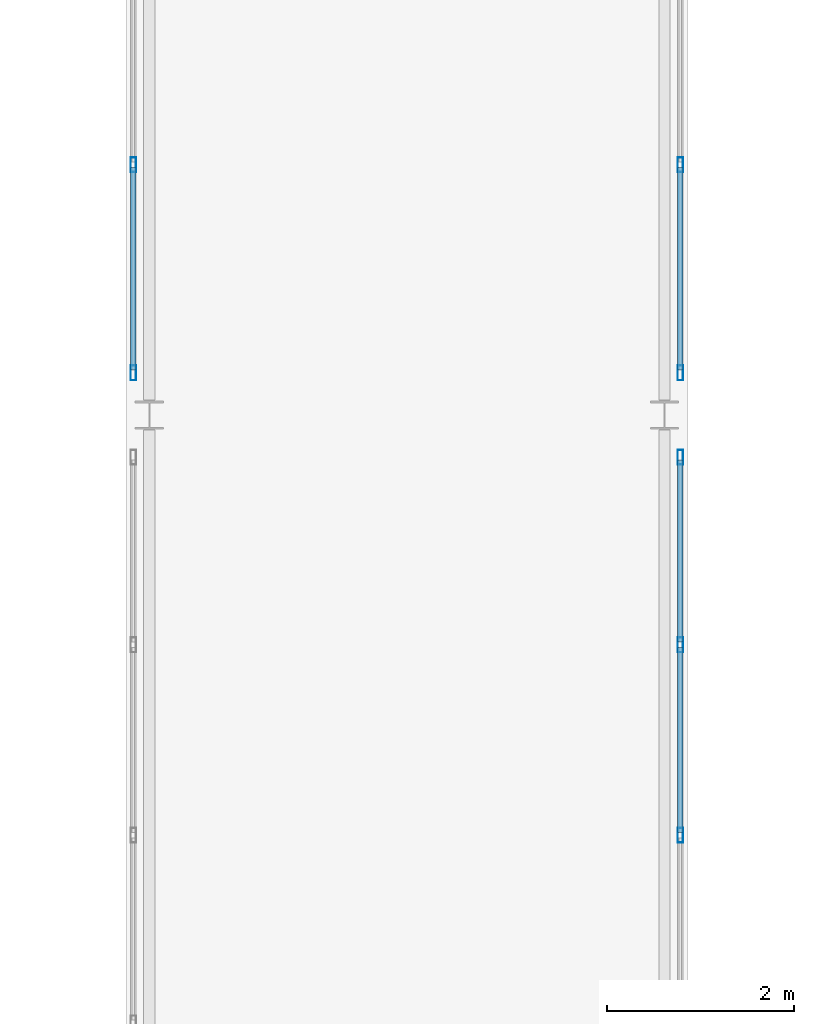
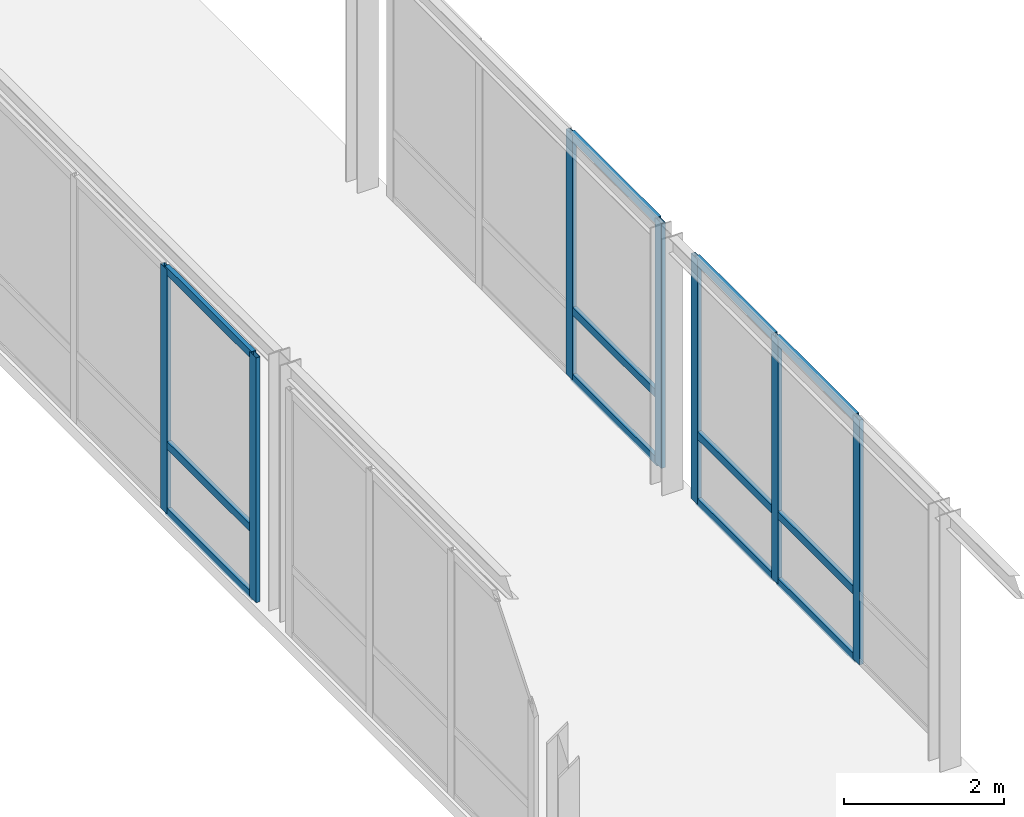
# One storey, part 55 of 189: 19 members, 3 elements without a shape of their own.
"""IFC4 building model written with IfcOpenShell, lengths in metres."""

from ifc_helpers import new_model, si_unit, direction, frame, origin, origin_2d, place, context, subcontext, project, spatial, hollow_rectangle, extrude, material, layer, layer_set, material_profile, profile_set, type_object, element, aggregate, save


model = new_model("IFC4")

# Units and contexts
model_context = context("Model", 3, precision=1e-05, world=origin(), true_north=direction((0.0, 1.0)))
body_context = subcontext(model_context, "Body", "Model", "MODEL_VIEW")
ifc_project = project(units=[si_unit("LENGTHUNIT", "METRE"), si_unit("AREAUNIT", "SQUARE_METRE"), si_unit("VOLUMEUNIT", "CUBIC_METRE"), si_unit("PLANEANGLEUNIT", "RADIAN"), si_unit("MASSUNIT", "GRAM", prefix="KILO")], contexts=[model_context])

# Site, building, storey
site_placement = place(None, origin())
site = spatial("IfcSite", under=ifc_project, at=site_placement, CompositionType="ELEMENT")
building_placement = place(site_placement, origin())
building = spatial("IfcBuilding", under=site, at=building_placement, Name="Montecoro Central Library", CompositionType="ELEMENT")
storey_placement = place(building_placement, frame((0.0, 0.0, 9.179931640625)))
storey = spatial("IfcBuildingStorey", under=building, at=storey_placement, Name="L02", CompositionType="ELEMENT", Elevation=9.179931640625)

# Curtain wall, members
ifc_material_1 = material(Name="Bronze-anodised aluminium and low-E glazing", Category="aluminium")
ifc_layer_1 = layer(ifc_material_1, 0.159912109375)
ifc_layer_set_1 = layer_set([ifc_layer_1], Name="Bronze-anodised aluminium and low-E glazing")
curtain_wall_type_1 = type_object("IfcCurtainWallType", Name="CWT-078", PredefinedType="NOTDEFINED", material=ifc_layer_set_1)
curtain_wall_1_placement = place(storey_placement, origin())
curtain_wall_1 = element("IfcCurtainWall", 1, at=curtain_wall_1_placement, inside=storey, type_object=curtain_wall_type_1, Name="BR-N-L02-CW-W2", PredefinedType="NOTDEFINED")
ifc_material_2 = material(Name="Bronze-anodised aluminium", Category="aluminium")
ifc_material_profile_1 = material_profile(ifc_material_2, hollow_rectangle(XDim=0.06005859375, YDim=0.159912109375, WallThickness=0.00390625, at=origin_2d()), Name="CWM 160x60x4.0")
ifc_profile_set_1 = profile_set([ifc_material_profile_1], Name="Bronze-anodised aluminium")
member_type_1 = type_object("IfcMemberType", Name="CWM-BRZ-60", PredefinedType="MULLION", material=ifc_profile_set_1)
member_1_placement = place(storey_placement, frame((88.679931640625, 66.25, 0.0), z_axis=(0.0, 0.0, 1.0), x_axis=(-1.0, 0.0, 0.0)))
member_1 = element("IfcMember", 2, at=member_1_placement, type_object=member_type_1, Name="CW-078 mullion 1", PredefinedType="MULLION", context=body_context, shape_type="SweptSolid", body=[
    extrude(hollow_rectangle(XDim=0.06005859375, YDim=0.159912109375, WallThickness=0.00390625, at=origin_2d()), origin(), (0.0, 0.0, 1.0), 3.72998046875),
])
member_2_placement = place(storey_placement, frame((88.679931640625, 68.473388671875, 0.0), z_axis=(0.0, 0.0, 1.0), x_axis=(-1.0, 0.0, 0.0)))
member_2 = element("IfcMember", 3, at=member_2_placement, type_object=member_type_1, Name="CW-078 mullion 2", PredefinedType="MULLION", context=body_context, shape_type="SweptSolid", body=[
    extrude(hollow_rectangle(XDim=0.06005859375, YDim=0.159912109375, WallThickness=0.00390625, at=origin_2d()), origin(), (0.0, 0.0, 1.0), 3.72998046875),
])

ifc_layer_2 = layer(ifc_material_1, 0.159912109375)
ifc_layer_set_2 = layer_set([ifc_layer_2], Name="Bronze-anodised aluminium and low-E glazing")
curtain_wall_type_2 = type_object("IfcCurtainWallType", Name="CWT-077", PredefinedType="NOTDEFINED", material=ifc_layer_set_2)
curtain_wall_2_placement = place(storey_placement, origin())
curtain_wall_2 = element("IfcCurtainWall", 4, at=curtain_wall_2_placement, inside=storey, type_object=curtain_wall_type_2, Name="BR-N-L02-CW-E1", PredefinedType="NOTDEFINED")
member_3_placement = place(storey_placement, frame((94.52001953125, 61.313232421875, 0.0), z_axis=(0.0, 0.0, 1.0), x_axis=(-1.0, 0.0, 0.0)))
member_3 = element("IfcMember", 5, at=member_3_placement, type_object=member_type_1, Name="CW-077 mullion 2", PredefinedType="MULLION", context=body_context, shape_type="SweptSolid", body=[
    extrude(hollow_rectangle(XDim=0.06005859375, YDim=0.159912109375, WallThickness=0.00390625, at=origin_2d()), origin(), (0.0, 0.0, 1.0), 3.72998046875),
])
member_4_placement = place(storey_placement, frame((94.52001953125, 63.3466796875, 0.0), z_axis=(0.0, 0.0, 1.0), x_axis=(-1.0, 0.0, 0.0)))
member_4 = element("IfcMember", 6, at=member_4_placement, type_object=member_type_1, Name="CW-077 mullion 3", PredefinedType="MULLION", context=body_context, shape_type="SweptSolid", body=[
    extrude(hollow_rectangle(XDim=0.06005859375, YDim=0.159912109375, WallThickness=0.00390625, at=origin_2d()), origin(), (0.0, 0.0, 1.0), 3.72998046875),
])
member_5_placement = place(storey_placement, frame((94.52001953125, 65.35009765625, 0.0), z_axis=(0.0, 0.0, 1.0), x_axis=(-1.0, 0.0, 0.0)))
member_5 = element("IfcMember", 7, at=member_5_placement, type_object=member_type_1, Name="CW-077 mullion 4", PredefinedType="MULLION", context=body_context, shape_type="SweptSolid", body=[
    extrude(hollow_rectangle(XDim=0.06005859375, YDim=0.159912109375, WallThickness=0.00390625, at=origin_2d()), origin(), (0.0, 0.0, 1.0), 3.72998046875),
])

curtain_wall_3_placement = place(storey_placement, origin())
curtain_wall_3 = element("IfcCurtainWall", 8, at=curtain_wall_3_placement, inside=storey, type_object=curtain_wall_type_1, Name="BR-N-L02-CW-E2", PredefinedType="NOTDEFINED")
member_6_placement = place(storey_placement, frame((94.52001953125, 66.25, 0.0), z_axis=(0.0, 0.0, 1.0), x_axis=(-1.0, 0.0, 0.0)))
member_6 = element("IfcMember", 9, at=member_6_placement, type_object=member_type_1, Name="CW-078 mullion 1", PredefinedType="MULLION", context=body_context, shape_type="SweptSolid", body=[
    extrude(hollow_rectangle(XDim=0.06005859375, YDim=0.159912109375, WallThickness=0.00390625, at=origin_2d()), origin(), (0.0, 0.0, 1.0), 3.72998046875),
])
member_7_placement = place(storey_placement, frame((94.52001953125, 68.473388671875, 0.0), z_axis=(0.0, 0.0, 1.0), x_axis=(-1.0, 0.0, 0.0)))
member_7 = element("IfcMember", 10, at=member_7_placement, type_object=member_type_1, Name="CW-078 mullion 2", PredefinedType="MULLION", context=body_context, shape_type="SweptSolid", body=[
    extrude(hollow_rectangle(XDim=0.06005859375, YDim=0.159912109375, WallThickness=0.00390625, at=origin_2d()), origin(), (0.0, 0.0, 1.0), 3.72998046875),
])

# Member
ifc_material_profile_2 = material_profile(ifc_material_2, hollow_rectangle(XDim=0.06005859375, YDim=0.1201171875, WallThickness=0.00390625, at=origin_2d()), Name="CWT 120x60x4.0")
ifc_profile_set_2 = profile_set([ifc_material_profile_2], Name="Bronze-anodised aluminium")
member_type_2 = type_object("IfcMemberType", Name="CWT-BRZ-60", PredefinedType="USERDEFINED", material=ifc_profile_set_2)
member_8_placement = place(storey_placement, frame((88.679931640625, 66.280029296875, 0.030029296875), z_axis=(0.0, 1.0, 0.0), x_axis=(-1.0, 0.0, 0.0)))
member_8 = element("IfcMember", 11, at=member_8_placement, type_object=member_type_2, Name="CW-078 transom 1.1", ObjectType="TRANSOM", PredefinedType="USERDEFINED", context=body_context, shape_type="SweptSolid", body=[
    extrude(hollow_rectangle(XDim=0.06005859375, YDim=0.1201171875, WallThickness=0.00390625, at=origin_2d()), origin(), (0.0, 0.0, 1.0), 2.163330078125),
])

member_9_placement = place(storey_placement, frame((88.679931640625, 66.280029296875, 1.050048828125), z_axis=(0.0, 1.0, 0.0), x_axis=(-1.0, 0.0, 0.0)))
member_9 = element("IfcMember", 12, at=member_9_placement, type_object=member_type_2, Name="CW-078 transom 1.2", ObjectType="TRANSOM", PredefinedType="USERDEFINED", context=body_context, shape_type="SweptSolid", body=[
    extrude(hollow_rectangle(XDim=0.06005859375, YDim=0.1201171875, WallThickness=0.00390625, at=origin_2d()), origin(), (0.0, 0.0, 1.0), 2.163330078125),
])

member_10_placement = place(storey_placement, frame((88.679931640625, 66.280029296875, 3.699951171875), z_axis=(0.0, 1.0, 0.0), x_axis=(-1.0, 0.0, 0.0)))
member_10 = element("IfcMember", 13, at=member_10_placement, type_object=member_type_2, Name="CW-078 transom 1.3", ObjectType="TRANSOM", PredefinedType="USERDEFINED", context=body_context, shape_type="SweptSolid", body=[
    extrude(hollow_rectangle(XDim=0.06005859375, YDim=0.1201171875, WallThickness=0.00390625, at=origin_2d()), origin(), (0.0, 0.0, 1.0), 2.163330078125),
])

aggregate(curtain_wall_1, [member_1, member_2, member_8, member_9, member_10])

member_11_placement = place(storey_placement, frame((94.52001953125, 61.34326171875, 0.030029296875), z_axis=(0.0, 1.0, 0.0), x_axis=(-1.0, 0.0, 0.0)))
member_11 = element("IfcMember", 14, at=member_11_placement, type_object=member_type_2, Name="CW-077 transom 2.1", ObjectType="TRANSOM", PredefinedType="USERDEFINED", context=body_context, shape_type="SweptSolid", body=[
    extrude(hollow_rectangle(XDim=0.06005859375, YDim=0.1201171875, WallThickness=0.00390625, at=origin_2d()), origin(), (0.0, 0.0, 1.0), 1.973388671875),
])

member_12_placement = place(storey_placement, frame((94.52001953125, 61.34326171875, 1.050048828125), z_axis=(0.0, 1.0, 0.0), x_axis=(-1.0, 0.0, 0.0)))
member_12 = element("IfcMember", 15, at=member_12_placement, type_object=member_type_2, Name="CW-077 transom 2.2", ObjectType="TRANSOM", PredefinedType="USERDEFINED", context=body_context, shape_type="SweptSolid", body=[
    extrude(hollow_rectangle(XDim=0.06005859375, YDim=0.1201171875, WallThickness=0.00390625, at=origin_2d()), origin(), (0.0, 0.0, 1.0), 1.973388671875),
])

member_13_placement = place(storey_placement, frame((94.52001953125, 61.34326171875, 3.699951171875), z_axis=(0.0, 1.0, 0.0), x_axis=(-1.0, 0.0, 0.0)))
member_13 = element("IfcMember", 16, at=member_13_placement, type_object=member_type_2, Name="CW-077 transom 2.3", ObjectType="TRANSOM", PredefinedType="USERDEFINED", context=body_context, shape_type="SweptSolid", body=[
    extrude(hollow_rectangle(XDim=0.06005859375, YDim=0.1201171875, WallThickness=0.00390625, at=origin_2d()), origin(), (0.0, 0.0, 1.0), 1.973388671875),
])

member_14_placement = place(storey_placement, frame((94.52001953125, 63.376708984375, 0.030029296875), z_axis=(0.0, 1.0, 0.0), x_axis=(-1.0, 0.0, 0.0)))
member_14 = element("IfcMember", 17, at=member_14_placement, type_object=member_type_2, Name="CW-077 transom 3.1", ObjectType="TRANSOM", PredefinedType="USERDEFINED", context=body_context, shape_type="SweptSolid", body=[
    extrude(hollow_rectangle(XDim=0.06005859375, YDim=0.1201171875, WallThickness=0.00390625, at=origin_2d()), origin(), (0.0, 0.0, 1.0), 1.943359375),
])

member_15_placement = place(storey_placement, frame((94.52001953125, 63.376708984375, 1.050048828125), z_axis=(0.0, 1.0, 0.0), x_axis=(-1.0, 0.0, 0.0)))
member_15 = element("IfcMember", 18, at=member_15_placement, type_object=member_type_2, Name="CW-077 transom 3.2", ObjectType="TRANSOM", PredefinedType="USERDEFINED", context=body_context, shape_type="SweptSolid", body=[
    extrude(hollow_rectangle(XDim=0.06005859375, YDim=0.1201171875, WallThickness=0.00390625, at=origin_2d()), origin(), (0.0, 0.0, 1.0), 1.943359375),
])

member_16_placement = place(storey_placement, frame((94.52001953125, 63.376708984375, 3.699951171875), z_axis=(0.0, 1.0, 0.0), x_axis=(-1.0, 0.0, 0.0)))
member_16 = element("IfcMember", 19, at=member_16_placement, type_object=member_type_2, Name="CW-077 transom 3.3", ObjectType="TRANSOM", PredefinedType="USERDEFINED", context=body_context, shape_type="SweptSolid", body=[
    extrude(hollow_rectangle(XDim=0.06005859375, YDim=0.1201171875, WallThickness=0.00390625, at=origin_2d()), origin(), (0.0, 0.0, 1.0), 1.943359375),
])

aggregate(curtain_wall_2, [member_3, member_4, member_5, member_11, member_12, member_13, member_14, member_15, member_16])

member_17_placement = place(storey_placement, frame((94.52001953125, 66.280029296875, 0.030029296875), z_axis=(0.0, 1.0, 0.0), x_axis=(-1.0, 0.0, 0.0)))
member_17 = element("IfcMember", 20, at=member_17_placement, type_object=member_type_2, Name="CW-078 transom 1.1", ObjectType="TRANSOM", PredefinedType="USERDEFINED", context=body_context, shape_type="SweptSolid", body=[
    extrude(hollow_rectangle(XDim=0.06005859375, YDim=0.1201171875, WallThickness=0.00390625, at=origin_2d()), origin(), (0.0, 0.0, 1.0), 2.163330078125),
])

member_18_placement = place(storey_placement, frame((94.52001953125, 66.280029296875, 1.050048828125), z_axis=(0.0, 1.0, 0.0), x_axis=(-1.0, 0.0, 0.0)))
member_18 = element("IfcMember", 21, at=member_18_placement, type_object=member_type_2, Name="CW-078 transom 1.2", ObjectType="TRANSOM", PredefinedType="USERDEFINED", context=body_context, shape_type="SweptSolid", body=[
    extrude(hollow_rectangle(XDim=0.06005859375, YDim=0.1201171875, WallThickness=0.00390625, at=origin_2d()), origin(), (0.0, 0.0, 1.0), 2.163330078125),
])

member_19_placement = place(storey_placement, frame((94.52001953125, 66.280029296875, 3.699951171875), z_axis=(0.0, 1.0, 0.0), x_axis=(-1.0, 0.0, 0.0)))
member_19 = element("IfcMember", 22, at=member_19_placement, type_object=member_type_2, Name="CW-078 transom 1.3", ObjectType="TRANSOM", PredefinedType="USERDEFINED", context=body_context, shape_type="SweptSolid", body=[
    extrude(hollow_rectangle(XDim=0.06005859375, YDim=0.1201171875, WallThickness=0.00390625, at=origin_2d()), origin(), (0.0, 0.0, 1.0), 2.163330078125),
])

aggregate(curtain_wall_3, [member_6, member_7, member_17, member_18, member_19])

save(model, "model.ifc")
